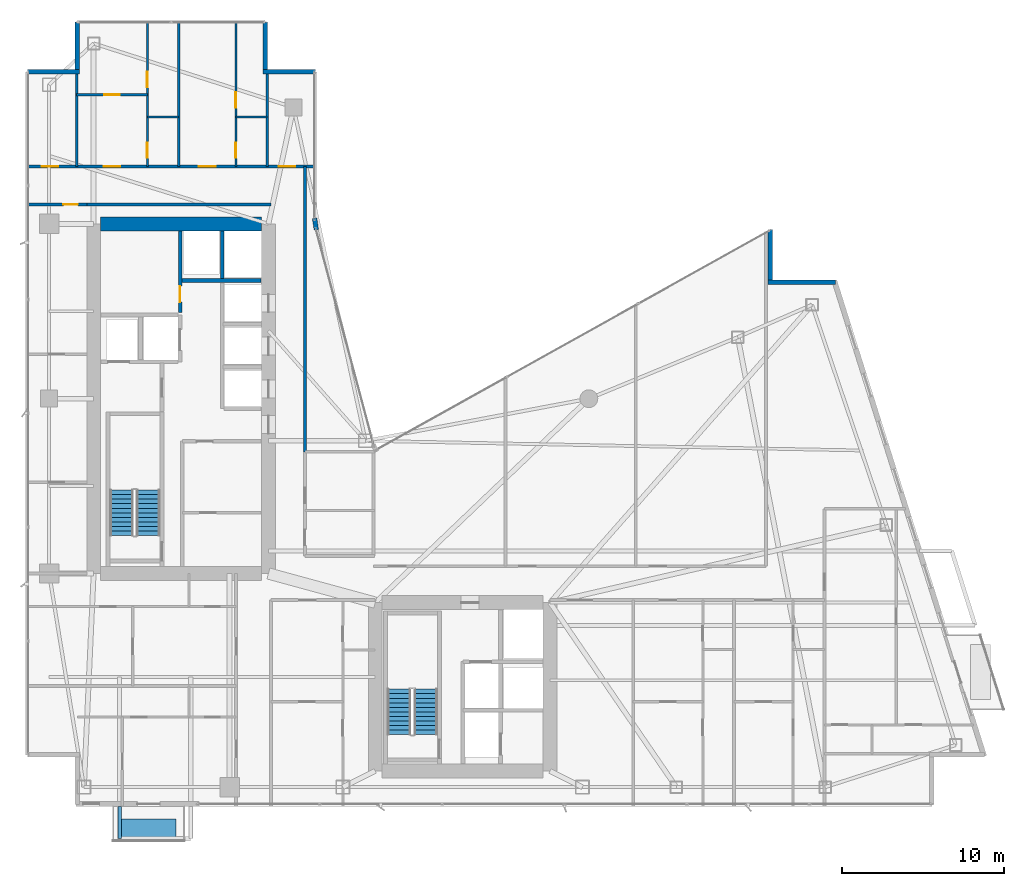
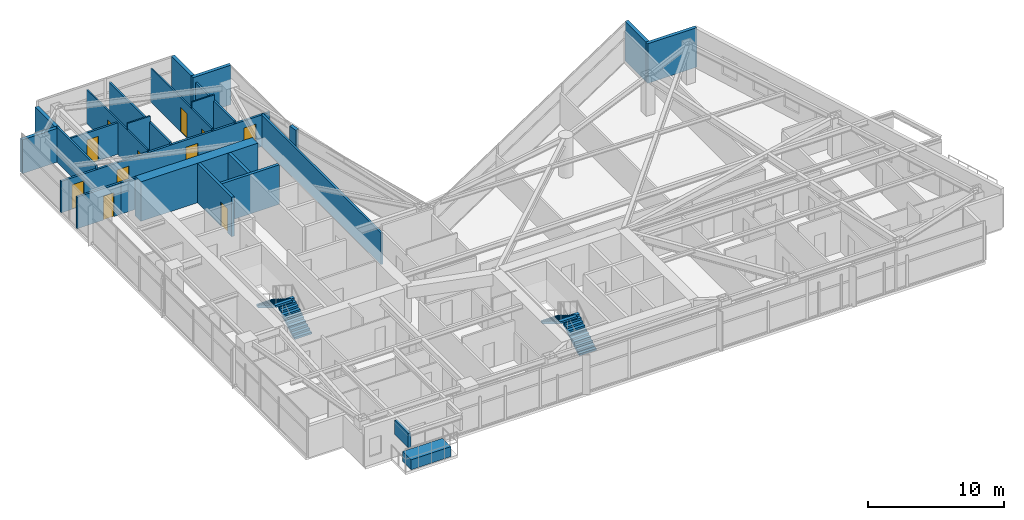
# One storey, part 25 of 29: 23 walls, 11 doors, 4 stair flights, 2 discrete accessories, 11 openings, 2 elements without a shape of their own.
"""IFC4 building model written with IfcOpenShell, lengths in metres."""

from ifc_helpers import new_model, si_unit, direction, frame, frame_2d, origin, origin_2d, place, context, subcontext, project, spatial, polyline, rectangle, outline, extrude, material, layer, layer_set, type_object, element, fill, aggregate, save


model = new_model("IFC4")

# Units and contexts
model_context = context("Model", 3, precision=1e-05, world=origin(), true_north=direction((0.0, 1.0)))
body_context = subcontext(model_context, "Body", "Model", "MODEL_VIEW")
ifc_project = project(units=[si_unit("LENGTHUNIT", "METRE"), si_unit("AREAUNIT", "SQUARE_METRE"), si_unit("VOLUMEUNIT", "CUBIC_METRE"), si_unit("PLANEANGLEUNIT", "RADIAN"), si_unit("MASSUNIT", "GRAM", prefix="KILO")], contexts=[model_context])

# Site, building, storey
site_placement = place(None, origin())
site = spatial("IfcSite", under=ifc_project, at=site_placement, CompositionType="ELEMENT")
building_placement = place(site_placement, origin())
building = spatial("IfcBuilding", under=site, at=building_placement, Name="Calvorn Quay Hotel", CompositionType="ELEMENT")
storey_placement = place(building_placement, frame((0.0, 0.0, 124.0)))
storey = spatial("IfcBuildingStorey", under=building, at=storey_placement, Name="L30", CompositionType="ELEMENT", Elevation=124.0)

# Wall
ifc_material_1 = material(Name="Concrete C50", Category="concrete")
ifc_layer_1 = layer(ifc_material_1, 0.85009765625)
ifc_layer_set_1 = layer_set([ifc_layer_1], Name="WL-CORE-850")
wall_type_1 = type_object("IfcWallType", Name="WL-CORE-850", PredefinedType="SHEAR", material=ifc_layer_set_1)
wall_1_placement = place(storey_placement, frame((4.625, 38.39990234375, 0.0), z_axis=(0.0, 0.0, 1.0), x_axis=(1.0, 0.0, 0.0)))
element("IfcWall", 1, at=wall_1_placement, inside=storey, type_object=wall_type_1, Name="West Core Shear Wall N (L30)", PredefinedType="SHEAR", context=body_context, shape_type="SweptSolid", body=[
    extrude(rectangle(XDim=9.949951171875, YDim=0.85009765625, at=frame_2d((4.97509765625, 0.0))), origin(), (0.0, 0.0, 1.0), 3.56005859375),
])

# Wall, opening, door
ifc_material_2 = material(Name="Acoustic Fireboard Steel-Stud Partition", Category="steel")
ifc_layer_2 = layer(ifc_material_2, 0.179931640625)
ifc_layer_set_2 = layer_set([ifc_layer_2], Name="WL-CORR-FIRE-180")
wall_type_2 = type_object("IfcWallType", Name="WL-CORR-FIRE-180", PredefinedType="PARTITIONING", material=ifc_layer_set_2)
wall_2_placement = place(storey_placement, frame((0.080078125, 39.60009765625, 0.0), z_axis=(0.0, 0.0, 1.0), x_axis=(1.0, 0.0, 0.0)))
wall_2 = element("IfcWall", 2, at=wall_2_placement, inside=storey, type_object=wall_type_2, Name="Partition Wall L30-WL-WBAY-N-DOOR", PredefinedType="PARTITIONING", context=body_context, shape_type="SweptSolid", body=[
    extrude(rectangle(XDim=3.724853515625, YDim=0.179931640625, at=frame_2d((1.8623046875, 0.0))), origin(), (0.0, 0.0, 1.0), 2.840087890625),
])
opening_1_placement = place(wall_2_placement, frame((2.25, 0.0, 0.0)))
opening_1 = element("IfcOpeningElement", 3, at=opening_1_placement, cuts=wall_2, Name="Opening D-L30-WBN", PredefinedType="OPENING", context=body_context, shape_type="SweptSolid", body=[
    extrude(rectangle(XDim=0.89990234375, YDim=2.14990234375, at=frame_2d((0.449951171875, 1.074951171875))), frame((0.0, 0.099853515625, 0.0), z_axis=(0.0, -1.0, 0.0), x_axis=(1.0, 0.0, 0.0)), (0.0, 0.0, 1.0), 0.199951171875),
])
ifc_material_3 = material(Name="Moisture-Sealed Timber En-Suite Door", Category="wood")
door_type_1 = type_object("IfcDoorType", Name="DR-ENSUITE-900", OperationType="NOTDEFINED", PredefinedType="DOOR", material=ifc_material_3)
door_1_placement = place(opening_1_placement, origin())
door_1 = element("IfcDoor", 4, at=door_1_placement, inside=storey, type_object=door_type_1, Name="West North Bay Door (L30)", OperationType="SINGLE_SWING_LEFT", OverallHeight=2.14990234375, OverallWidth=0.89990234375, PredefinedType="DOOR", context=body_context, shape_type="SweptSolid", body=[
    extrude(rectangle(XDim=0.89990234375, YDim=2.14990234375, at=frame_2d((0.449951171875, 1.074951171875))), frame((0.0, 0.02490234375, 0.0), z_axis=(0.0, -1.0, 0.0), x_axis=(1.0, 0.0, 0.0)), (0.0, 0.0, 1.0), 0.050048828125),
])
fill(opening_1, door_1)

# Wall, openings, doors
wall_3_placement = place(storey_placement, frame((0.080078125, 41.949951171875, 0.0), z_axis=(0.0, 0.0, 1.0), x_axis=(1.0, 0.0, 0.0)))
wall_3 = element("IfcWall", 5, at=wall_3_placement, inside=storey, type_object=wall_type_2, Name="Partition Wall L30-WL-CORR-NW-N", PredefinedType="PARTITIONING", context=body_context, shape_type="SweptSolid", body=[
    extrude(rectangle(XDim=17.77001953125, YDim=0.179931640625, at=frame_2d((8.885009765625, 0.0))), origin(), (0.0, 0.0, 1.0), 2.840087890625),
])
opening_2_placement = place(wall_3_placement, frame((0.89990234375, 0.0, 0.0)))
opening_2 = element("IfcOpeningElement", 6, at=opening_2_placement, cuts=wall_3, Name="Opening D-L30-NWW", PredefinedType="OPENING", context=body_context, shape_type="SweptSolid", body=[
    extrude(rectangle(XDim=1.02001953125, YDim=2.199951171875, at=frame_2d((0.510009765625, 1.10009765625))), frame((0.0, 0.099853515625, 0.0), z_axis=(0.0, -1.0, 0.0), x_axis=(1.0, 0.0, 0.0)), (0.0, 0.0, 1.0), 0.199951171875),
])
opening_3_placement = place(wall_3_placement, frame((4.75, 0.0, 0.0)))
opening_3 = element("IfcOpeningElement", 7, at=opening_3_placement, cuts=wall_3, Name="Opening D-L30-U04", PredefinedType="OPENING", context=body_context, shape_type="SweptSolid", body=[
    extrude(rectangle(XDim=1.02001953125, YDim=2.199951171875, at=frame_2d((0.510009765625, 1.10009765625))), frame((0.0, 0.099853515625, 0.0), z_axis=(0.0, -1.0, 0.0), x_axis=(1.0, 0.0, 0.0)), (0.0, 0.0, 1.0), 0.199951171875),
])
opening_4_placement = place(wall_3_placement, frame((10.6298828125, 0.0, 0.0)))
opening_4 = element("IfcOpeningElement", 8, at=opening_4_placement, cuts=wall_3, Name="Opening D-L30-U05", PredefinedType="OPENING", context=body_context, shape_type="SweptSolid", body=[
    extrude(rectangle(XDim=1.02001953125, YDim=2.199951171875, at=frame_2d((0.510009765625, 1.10009765625))), frame((0.0, 0.099853515625, 0.0), z_axis=(0.0, -1.0, 0.0), x_axis=(1.0, 0.0, 0.0)), (0.0, 0.0, 1.0), 0.199951171875),
])
opening_5_placement = place(wall_3_placement, frame((15.550048828125, 0.0, 0.0)))
opening_5 = element("IfcOpeningElement", 9, at=opening_5_placement, cuts=wall_3, Name="Opening D-L30-NWE", PredefinedType="OPENING", context=body_context, shape_type="SweptSolid", body=[
    extrude(rectangle(XDim=1.02001953125, YDim=2.199951171875, at=frame_2d((0.510009765625, 1.10009765625))), frame((0.0, 0.099853515625, 0.0), z_axis=(0.0, -1.0, 0.0), x_axis=(1.0, 0.0, 0.0)), (0.0, 0.0, 1.0), 0.199951171875),
])
ifc_material_4 = material(Name="Solid-Core Walnut Veneer Hotel Fire Door")
door_type_2 = type_object("IfcDoorType", Name="DR-GUEST-ENTRY-1020", OperationType="NOTDEFINED", PredefinedType="DOOR", material=ifc_material_4)
door_2_placement = place(opening_2_placement, origin())
door_2 = element("IfcDoor", 10, at=door_2_placement, inside=storey, type_object=door_type_2, Name="West Corner Study Door (L30)", OperationType="SINGLE_SWING_LEFT", OverallHeight=2.199951171875, OverallWidth=1.02001953125, PredefinedType="DOOR", context=body_context, shape_type="SweptSolid", body=[
    extrude(rectangle(XDim=1.02001953125, YDim=2.199951171875, at=frame_2d((0.510009765625, 1.10009765625))), frame((0.0, 0.02490234375, 0.0), z_axis=(0.0, -1.0, 0.0), x_axis=(1.0, 0.0, 0.0)), (0.0, 0.0, 1.0), 0.050048828125),
])
fill(opening_2, door_2)
door_3_placement = place(opening_3_placement, origin())
door_3 = element("IfcDoor", 11, at=door_3_placement, inside=storey, type_object=door_type_2, Name="North-West Unit Door U04 (L30)", OperationType="SINGLE_SWING_RIGHT", OverallHeight=2.199951171875, OverallWidth=1.02001953125, PredefinedType="DOOR", context=body_context, shape_type="SweptSolid", body=[
    extrude(rectangle(XDim=1.02001953125, YDim=2.199951171875, at=frame_2d((0.510009765625, 1.10009765625))), frame((0.0, 0.02490234375, 0.0), z_axis=(0.0, -1.0, 0.0), x_axis=(1.0, 0.0, 0.0)), (0.0, 0.0, 1.0), 0.050048828125),
])
fill(opening_3, door_3)
door_4_placement = place(opening_4_placement, origin())
door_4 = element("IfcDoor", 12, at=door_4_placement, inside=storey, type_object=door_type_2, Name="North-West Unit Door U05 (L30)", OperationType="SINGLE_SWING_LEFT", OverallHeight=2.199951171875, OverallWidth=1.02001953125, PredefinedType="DOOR", context=body_context, shape_type="SweptSolid", body=[
    extrude(rectangle(XDim=1.02001953125, YDim=2.199951171875, at=frame_2d((0.510009765625, 1.10009765625))), frame((0.0, 0.02490234375, 0.0), z_axis=(0.0, -1.0, 0.0), x_axis=(1.0, 0.0, 0.0)), (0.0, 0.0, 1.0), 0.050048828125),
])
fill(opening_4, door_4)
door_5_placement = place(opening_5_placement, origin())
door_5 = element("IfcDoor", 13, at=door_5_placement, inside=storey, type_object=door_type_2, Name="Inner Court Study Door (L30)", OperationType="SINGLE_SWING_RIGHT", OverallHeight=2.199951171875, OverallWidth=1.02001953125, PredefinedType="DOOR", context=body_context, shape_type="SweptSolid", body=[
    extrude(rectangle(XDim=1.02001953125, YDim=2.199951171875, at=frame_2d((0.510009765625, 1.10009765625))), frame((0.0, 0.02490234375, 0.0), z_axis=(0.0, -1.0, 0.0), x_axis=(1.0, 0.0, 0.0)), (0.0, 0.0, 1.0), 0.050048828125),
])
fill(opening_5, door_5)

# Walls
wall_4_placement = place(storey_placement, frame((17.25, 24.300048828125, 0.0), z_axis=(0.0, 0.0, 1.0), x_axis=(0.0, 1.0, 0.0)))
element("IfcWall", 14, at=wall_4_placement, inside=storey, type_object=wall_type_2, Name="Partition Wall L30-WL-NW-CLOSURE-E", PredefinedType="PARTITIONING", context=body_context, shape_type="SweptSolid", body=[
    extrude(rectangle(XDim=17.64990234375, YDim=0.179931640625, at=frame_2d((8.824951171875, 0.0))), origin(), (0.0, 0.0, 1.0), 2.840087890625),
])
wall_5_placement = place(storey_placement, frame((3.7548828125, 39.60009765625, 0.0), z_axis=(0.0, 0.0, 1.0), x_axis=(1.0, 0.0, 0.0)))
element("IfcWall", 15, at=wall_5_placement, inside=storey, type_object=wall_type_2, Name="Partition Wall L30-WL-W-SPUR-S", PredefinedType="PARTITIONING", context=body_context, shape_type="SweptSolid", body=[
    extrude(rectangle(XDim=11.39501953125, YDim=0.179931640625, at=frame_2d((5.697509765625, 0.0))), origin(), (0.0, 0.0, 1.0), 2.840087890625),
])
ifc_material_5 = material(Name="Moisture-Resistant Tile-Backed Partition")
ifc_layer_3 = layer(ifc_material_5, 0.125)
ifc_layer_set_3 = layer_set([ifc_layer_3], Name="WL-ENSUITE-125")
wall_type_3 = type_object("IfcWallType", Name="WL-ENSUITE-125", PredefinedType="PARTITIONING", material=ifc_layer_set_3)
wall_6_placement = place(storey_placement, frame((7.52001953125, 45.02001953125, 0.0), z_axis=(0.0, 0.0, 1.0), x_axis=(1.0, 0.0, 0.0)))
element("IfcWall", 16, at=wall_6_placement, inside=storey, type_object=wall_type_3, Name="Partition Wall L30-WL-U04-BDV", PredefinedType="PARTITIONING", context=body_context, shape_type="SweptSolid", body=[
    extrude(rectangle(XDim=1.929931640625, YDim=0.125, at=frame_2d((0.96484375, 0.0))), origin(), (0.0, 0.0, 1.0), 3.56005859375),
])

# Wall, openings, doors
wall_7_placement = place(storey_placement, frame((7.52001953125, 41.949951171875, 0.0), z_axis=(0.0, 0.0, 1.0), x_axis=(0.0, 1.0, 0.0)))
wall_7 = element("IfcWall", 17, at=wall_7_placement, inside=storey, type_object=wall_type_3, Name="Partition Wall L30-WL-U04-BV", PredefinedType="PARTITIONING", context=body_context, shape_type="SweptSolid", body=[
    extrude(rectangle(XDim=8.989990234375, YDim=0.125, at=frame_2d((4.4951171875, 0.0))), origin(), (0.0, 0.0, 1.0), 3.0400390625),
])
opening_6_placement = place(wall_7_placement, frame((0.550048828125, 0.0, 0.0)))
opening_6 = element("IfcOpeningElement", 18, at=opening_6_placement, cuts=wall_7, Name="Opening D-L30-E04", PredefinedType="OPENING", context=body_context, shape_type="SweptSolid", body=[
    extrude(rectangle(XDim=0.89990234375, YDim=2.14990234375, at=frame_2d((0.449951171875, 1.074951171875))), frame((0.0, 0.072509765625, 0.0), z_axis=(0.0, -1.0, 0.0), x_axis=(1.0, 0.0, 0.0)), (0.0, 0.0, 1.0), 0.14501953125),
])
opening_7_placement = place(wall_7_placement, frame((4.8798828125, 0.0, 0.0)))
opening_7 = element("IfcOpeningElement", 19, at=opening_7_placement, cuts=wall_7, Name="Opening D-L30-S04", PredefinedType="OPENING", context=body_context, shape_type="SweptSolid", body=[
    extrude(rectangle(XDim=0.9599609375, YDim=2.199951171875, at=frame_2d((0.47998046875, 1.10009765625))), frame((0.0, 0.072509765625, 0.0), z_axis=(0.0, -1.0, 0.0), x_axis=(1.0, 0.0, 0.0)), (0.0, 0.0, 1.0), 0.14501953125),
])
door_6_placement = place(opening_6_placement, origin())
door_6 = element("IfcDoor", 20, at=door_6_placement, inside=storey, type_object=door_type_1, Name="En-Suite Door 04", OperationType="SINGLE_SWING_LEFT", OverallHeight=2.14990234375, OverallWidth=0.89990234375, PredefinedType="DOOR", context=body_context, shape_type="SweptSolid", body=[
    extrude(rectangle(XDim=0.89990234375, YDim=2.14990234375, at=frame_2d((0.449951171875, 1.074951171875))), frame((0.0, 0.02490234375, 0.0), z_axis=(0.0, -1.0, 0.0), x_axis=(1.0, 0.0, 0.0)), (0.0, 0.0, 1.0), 0.050048828125),
])
fill(opening_6, door_6)
ifc_material_6 = material(Name="Solid Timber Internal Suite Door", Category="wood")
door_type_3 = type_object("IfcDoorType", Name="DR-SUITE-INT-960", OperationType="NOTDEFINED", PredefinedType="DOOR", material=ifc_material_6)
door_7_placement = place(opening_7_placement, origin())
door_7 = element("IfcDoor", 21, at=door_7_placement, inside=storey, type_object=door_type_3, Name="Harbour Tea Room Door 04", OperationType="SINGLE_SWING_RIGHT", OverallHeight=2.199951171875, OverallWidth=0.9599609375, PredefinedType="DOOR", context=body_context, shape_type="SweptSolid", body=[
    extrude(rectangle(XDim=0.9599609375, YDim=2.199951171875, at=frame_2d((0.47998046875, 1.10009765625))), frame((0.0, 0.02490234375, 0.0), z_axis=(0.0, -1.0, 0.0), x_axis=(1.0, 0.0, 0.0)), (0.0, 0.0, 1.0), 0.050048828125),
])
fill(opening_7, door_7)

# Wall
wall_8_placement = place(storey_placement, frame((12.989990234375, 45.02001953125, 0.0), z_axis=(0.0, 0.0, 1.0), x_axis=(1.0, 0.0, 0.0)))
element("IfcWall", 22, at=wall_8_placement, inside=storey, type_object=wall_type_3, Name="Partition Wall L30-WL-U05-BDV", PredefinedType="PARTITIONING", context=body_context, shape_type="SweptSolid", body=[
    extrude(rectangle(XDim=1.929931640625, YDim=0.125, at=frame_2d((0.96484375, 0.0))), origin(), (0.0, 0.0, 1.0), 3.56005859375),
])

# Wall, openings, doors
wall_9_placement = place(storey_placement, frame((12.989990234375, 41.949951171875, 0.0), z_axis=(0.0, 0.0, 1.0), x_axis=(0.0, 1.0, 0.0)))
wall_9 = element("IfcWall", 23, at=wall_9_placement, inside=storey, type_object=wall_type_3, Name="Partition Wall L30-WL-U05-BV", PredefinedType="PARTITIONING", context=body_context, shape_type="SweptSolid", body=[
    extrude(rectangle(XDim=8.989990234375, YDim=0.125, at=frame_2d((4.4951171875, 0.0))), origin(), (0.0, 0.0, 1.0), 3.0400390625),
])
opening_8_placement = place(wall_9_placement, frame((0.550048828125, 0.0, 0.0)))
opening_8 = element("IfcOpeningElement", 24, at=opening_8_placement, cuts=wall_9, Name="Opening D-L30-E05", PredefinedType="OPENING", context=body_context, shape_type="SweptSolid", body=[
    extrude(rectangle(XDim=0.89990234375, YDim=2.14990234375, at=frame_2d((0.449951171875, 1.074951171875))), frame((0.0, 0.072509765625, 0.0), z_axis=(0.0, -1.0, 0.0), x_axis=(1.0, 0.0, 0.0)), (0.0, 0.0, 1.0), 0.14501953125),
])
opening_9_placement = place(wall_9_placement, frame((3.6201171875, 0.0, 0.0)))
opening_9 = element("IfcOpeningElement", 25, at=opening_9_placement, cuts=wall_9, Name="Opening D-L30-S05", PredefinedType="OPENING", context=body_context, shape_type="SweptSolid", body=[
    extrude(rectangle(XDim=0.9599609375, YDim=2.199951171875, at=frame_2d((0.47998046875, 1.10009765625))), frame((0.0, 0.072509765625, 0.0), z_axis=(0.0, -1.0, 0.0), x_axis=(1.0, 0.0, 0.0)), (0.0, 0.0, 1.0), 0.14501953125),
])
door_8_placement = place(opening_8_placement, origin())
door_8 = element("IfcDoor", 26, at=door_8_placement, inside=storey, type_object=door_type_1, Name="En-Suite Door 05", OperationType="SINGLE_SWING_LEFT", OverallHeight=2.14990234375, OverallWidth=0.89990234375, PredefinedType="DOOR", context=body_context, shape_type="SweptSolid", body=[
    extrude(rectangle(XDim=0.89990234375, YDim=2.14990234375, at=frame_2d((0.449951171875, 1.074951171875))), frame((0.0, 0.02490234375, 0.0), z_axis=(0.0, -1.0, 0.0), x_axis=(1.0, 0.0, 0.0)), (0.0, 0.0, 1.0), 0.050048828125),
])
fill(opening_8, door_8)
door_9_placement = place(opening_9_placement, origin())
door_9 = element("IfcDoor", 27, at=door_9_placement, inside=storey, type_object=door_type_3, Name="Harbour Tea Room Door 05", OperationType="SINGLE_SWING_RIGHT", OverallHeight=2.199951171875, OverallWidth=0.9599609375, PredefinedType="DOOR", context=body_context, shape_type="SweptSolid", body=[
    extrude(rectangle(XDim=0.9599609375, YDim=2.199951171875, at=frame_2d((0.47998046875, 1.10009765625))), frame((0.0, 0.02490234375, 0.0), z_axis=(0.0, -1.0, 0.0), x_axis=(1.0, 0.0, 0.0)), (0.0, 0.0, 1.0), 0.050048828125),
])
fill(opening_9, door_9)

# Walls
ifc_material_7 = material(Name="Concrete C40", Category="concrete")
ifc_layer_4 = layer(ifc_material_7, 0.320068359375)
ifc_layer_set_4 = layer_set([ifc_layer_4], Name="WL-EXT-SPANDREL-320")
wall_type_4 = type_object("IfcWallType", Name="WL-EXT-SPANDREL-320", PredefinedType="SOLIDWALL", material=ifc_layer_set_4)
wall_10_placement = place(storey_placement, frame((17.9619140625, 38.030029296875, 0.0), z_axis=(0.0, 0.0, 1.0), x_axis=(-0.15141125477, 0.988470855377, 0.0)))
element("IfcWall", 28, at=wall_10_placement, inside=storey, type_object=wall_type_4, Name="Inner Court Corner Pier L30-ICJ2", PredefinedType="SOLIDWALL", context=body_context, shape_type="SweptSolid", body=[
    extrude(rectangle(XDim=0.738525390625, YDim=0.280029296875, at=frame_2d((0.369140625, 0.0))), origin(), (0.0, 0.0, 1.0), 3.56005859375),
])
wall_11_placement = place(storey_placement, frame((50.0400390625, 34.800048828125, 0.0), z_axis=(0.0, 0.0, 1.0), x_axis=(-1.0, 0.0, 0.0)))
element("IfcWall", 29, at=wall_11_placement, inside=storey, type_object=wall_type_4, Name="Notched Corner Spandrel L30-NE1", PredefinedType="SOLIDWALL", context=body_context, shape_type="SweptSolid", body=[
    extrude(rectangle(XDim=4.179931640625, YDim=0.280029296875, at=frame_2d((2.08984375, 0.0))), origin(), (0.0, 0.0, 1.0), 3.56005859375),
])
wall_12_placement = place(storey_placement, frame((46.0, 34.93994140625, 0.0), z_axis=(0.0, 0.0, 1.0), x_axis=(0.0, 1.0, 0.0)))
element("IfcWall", 30, at=wall_12_placement, inside=storey, type_object=wall_type_4, Name="Notched Corner Spandrel L30-NE2", PredefinedType="SOLIDWALL", context=body_context, shape_type="SweptSolid", body=[
    extrude(rectangle(XDim=3.10009765625, YDim=0.280029296875, at=frame_2d((1.550048828125, 0.0))), origin(), (0.0, 0.0, 1.0), 3.56005859375),
])
wall_13_placement = place(storey_placement, frame((17.89990234375, 47.800048828125, 0.0), z_axis=(0.0, 0.0, 1.0), x_axis=(-1.0, 0.0, 0.0)))
element("IfcWall", 31, at=wall_13_placement, inside=storey, type_object=wall_type_4, Name="Notched Corner Spandrel L30-NWE1", PredefinedType="SOLIDWALL", context=body_context, shape_type="SweptSolid", body=[
    extrude(rectangle(XDim=3.239990234375, YDim=0.280029296875, at=frame_2d((1.6201171875, 0.0))), origin(), (0.0, 0.0, 1.0), 3.56005859375),
])
wall_14_placement = place(storey_placement, frame((14.800048828125, 47.93994140625, 0.0), z_axis=(0.0, 0.0, 1.0), x_axis=(0.0, 1.0, 0.0)))
element("IfcWall", 32, at=wall_14_placement, inside=storey, type_object=wall_type_4, Name="Notched Corner Spandrel L30-NWE2", PredefinedType="SOLIDWALL", context=body_context, shape_type="SweptSolid", body=[
    extrude(rectangle(XDim=2.93994140625, YDim=0.280029296875, at=frame_2d((1.469970703125, 0.0))), origin(), (0.0, 0.0, 1.0), 3.56005859375),
])
wall_15_placement = place(storey_placement, frame((3.199951171875, 50.8798828125, 0.0), z_axis=(0.0, 0.0, 1.0), x_axis=(0.0, -1.0, 0.0)))
element("IfcWall", 33, at=wall_15_placement, inside=storey, type_object=wall_type_4, Name="Notched Corner Spandrel L30-NW1", PredefinedType="SOLIDWALL", context=body_context, shape_type="SweptSolid", body=[
    extrude(rectangle(XDim=2.93994140625, YDim=0.280029296875, at=frame_2d((1.469970703125, 0.0))), origin(), (0.0, 0.0, 1.0), 3.0400390625),
])
wall_16_placement = place(storey_placement, frame((3.340087890625, 47.800048828125, 0.0), z_axis=(0.0, 0.0, 1.0), x_axis=(-1.0, 0.0, 0.0)))
element("IfcWall", 34, at=wall_16_placement, inside=storey, type_object=wall_type_4, Name="Notched Corner Spandrel L30-NW2", PredefinedType="SOLIDWALL", context=body_context, shape_type="SweptSolid", body=[
    extrude(rectangle(XDim=3.219970703125, YDim=0.280029296875, at=frame_2d((1.60986328125, 0.0))), origin(), (0.0, 0.0, 1.0), 3.0400390625),
])
ifc_material_8 = material(Name="Double-Stud Acoustic Gypsum Partition")
ifc_layer_5 = layer(ifc_material_8, 0.159912109375)
ifc_layer_set_5 = layer_set([ifc_layer_5], Name="WL-INTERSUITE-160")
wall_type_5 = type_object("IfcWallType", Name="WL-INTERSUITE-160", PredefinedType="PARTITIONING", material=ifc_layer_set_5)
wall_17_placement = place(storey_placement, frame((3.14990234375, 41.949951171875, 0.0), z_axis=(0.0, 0.0, 1.0), x_axis=(0.0, 1.0, 0.0)))
element("IfcWall", 35, at=wall_17_placement, inside=storey, type_object=wall_type_5, Name="Partition Wall L30-WL-NW-DIV-W0", PredefinedType="PARTITIONING", context=body_context, shape_type="SweptSolid", body=[
    extrude(rectangle(XDim=5.85009765625, YDim=0.159912109375, at=frame_2d((2.925048828125, 0.0))), origin(), (0.0, 0.0, 1.0), 3.139892578125),
])
wall_18_placement = place(storey_placement, frame((14.919921875, 41.949951171875, 0.0), z_axis=(0.0, 0.0, 1.0), x_axis=(0.0, 1.0, 0.0)))
element("IfcWall", 36, at=wall_18_placement, inside=storey, type_object=wall_type_5, Name="Partition Wall L30-WL-NW-DIV-E0", PredefinedType="PARTITIONING", context=body_context, shape_type="SweptSolid", body=[
    extrude(rectangle(XDim=5.85009765625, YDim=0.159912109375, at=frame_2d((2.925048828125, 0.0))), origin(), (0.0, 0.0, 1.0), 3.0400390625),
])

# Wall, opening, door
wall_19_placement = place(storey_placement, frame((3.14990234375, 46.3798828125, 0.0), z_axis=(0.0, 0.0, 1.0), x_axis=(1.0, 0.0, 0.0)))
wall_19 = element("IfcWall", 37, at=wall_19_placement, inside=storey, type_object=wall_type_5, Name="Partition Wall L30-WL-U04-MSP", PredefinedType="PARTITIONING", context=body_context, shape_type="SweptSolid", body=[
    extrude(rectangle(XDim=4.3701171875, YDim=0.159912109375, at=frame_2d((2.18505859375, 0.0))), origin(), (0.0, 0.0, 1.0), 2.840087890625),
])
opening_10_placement = place(wall_19_placement, frame((1.699951171875, 0.0, 0.0)))
opening_10 = element("IfcOpeningElement", 38, at=opening_10_placement, cuts=wall_19, Name="Opening D-L30-M04", PredefinedType="OPENING", context=body_context, shape_type="SweptSolid", body=[
    extrude(rectangle(XDim=0.9599609375, YDim=2.199951171875, at=frame_2d((0.47998046875, 1.10009765625))), frame((0.0, 0.08984375, 0.0), z_axis=(0.0, -1.0, 0.0), x_axis=(1.0, 0.0, 0.0)), (0.0, 0.0, 1.0), 0.179931640625),
])
door_10_placement = place(opening_10_placement, origin())
door_10 = element("IfcDoor", 39, at=door_10_placement, inside=storey, type_object=door_type_3, Name="Suite Bedroom Door 04", OperationType="SINGLE_SWING_LEFT", OverallHeight=2.199951171875, OverallWidth=0.9599609375, PredefinedType="DOOR", context=body_context, shape_type="SweptSolid", body=[
    extrude(rectangle(XDim=0.9599609375, YDim=2.199951171875, at=frame_2d((0.47998046875, 1.10009765625))), frame((0.0, 0.02490234375, 0.0), z_axis=(0.0, -1.0, 0.0), x_axis=(1.0, 0.0, 0.0)), (0.0, 0.0, 1.0), 0.050048828125),
])
fill(opening_10, door_10)

# Wall
wall_20_placement = place(storey_placement, frame((9.449951171875, 41.949951171875, 0.0), z_axis=(0.0, 0.0, 1.0), x_axis=(0.0, 1.0, 0.0)))
element("IfcWall", 40, at=wall_20_placement, inside=storey, type_object=wall_type_5, Name="Partition Wall L30-WL-NW-DIV-1", PredefinedType="PARTITIONING", context=body_context, shape_type="SweptSolid", body=[
    extrude(rectangle(XDim=8.989990234375, YDim=0.159912109375, at=frame_2d((4.4951171875, 0.0))), origin(), (0.0, 0.0, 1.0), 3.0400390625),
])

# Wall, opening, door
ifc_material_9 = material(Name="Autoclaved Aerated Masonry Block", Category="masonry")
ifc_layer_6 = layer(ifc_material_9, 0.219970703125)
ifc_layer_set_6 = layer_set([ifc_layer_6], Name="WL-LOBBY-FIRE-220")
wall_type_6 = type_object("IfcWallType", Name="WL-LOBBY-FIRE-220", PredefinedType="SOLIDWALL", material=ifc_layer_set_6)
wall_21_placement = place(storey_placement, frame((9.5400390625, 32.919921875, 0.0), z_axis=(0.0, 0.0, 1.0), x_axis=(0.0, 1.0, 0.0)))
wall_21 = element("IfcWall", 41, at=wall_21_placement, inside=storey, type_object=wall_type_6, Name="Partition Wall L30-WL-CWW-K-E", PredefinedType="SOLIDWALL", context=body_context, shape_type="SweptSolid", body=[
    extrude(rectangle(XDim=5.03515625, YDim=0.219970703125, at=frame_2d((2.517578125, 0.0))), origin(), (0.0, 0.0, 1.0), 3.56005859375),
])
opening_11_placement = place(wall_21_placement, frame((0.64990234375, 0.0, 0.0)))
opening_11 = element("IfcOpeningElement", 42, at=opening_11_placement, cuts=wall_21, Name="Opening D-L30-CK1", PredefinedType="OPENING", context=body_context, shape_type="SweptSolid", body=[
    extrude(rectangle(XDim=0.97998046875, YDim=2.14990234375, at=frame_2d((0.489990234375, 1.074951171875))), frame((0.0, 0.119873046875, 0.0), z_axis=(0.0, -1.0, 0.0), x_axis=(1.0, 0.0, 0.0)), (0.0, 0.0, 1.0), 0.239990234375),
])
ifc_material_10 = material(Name="Painted Steel Housekeeping/Riser Fire Door", Category="steel")
door_type_4 = type_object("IfcDoorType", Name="DR-SERVICE-980", OperationType="NOTDEFINED", PredefinedType="DOOR", material=ifc_material_10)
door_11_placement = place(opening_11_placement, origin())
door_11 = element("IfcDoor", 43, at=door_11_placement, inside=storey, type_object=door_type_4, Name="Core Linen Room Door (L30)", OperationType="SINGLE_SWING_LEFT", OverallHeight=2.14990234375, OverallWidth=0.97998046875, PredefinedType="DOOR", context=body_context, shape_type="SweptSolid", body=[
    extrude(rectangle(XDim=0.97998046875, YDim=2.14990234375, at=frame_2d((0.489990234375, 1.074951171875))), frame((0.0, 0.02490234375, 0.0), z_axis=(0.0, -1.0, 0.0), x_axis=(1.0, 0.0, 0.0)), (0.0, 0.0, 1.0), 0.050048828125),
])
fill(opening_11, door_11)

# Walls
ifc_material_11 = material(Name="Concrete C40", Category="concrete")
ifc_layer_7 = layer(ifc_material_11, 0.239990234375)
ifc_layer_set_7 = layer_set([ifc_layer_7], Name="WL-SHAFT-240")
wall_type_7 = type_object("IfcWallType", Name="WL-SHAFT-240", PredefinedType="SOLIDWALL", material=ifc_layer_set_7)
wall_22_placement = place(storey_placement, frame((9.659912109375, 34.89990234375, 0.0), z_axis=(0.0, 0.0, 1.0), x_axis=(1.0, 0.0, 0.0)))
element("IfcWall", 44, at=wall_22_placement, inside=storey, type_object=wall_type_7, Name="Partition Wall L30-WL-CWW-PLH-S", PredefinedType="SOLIDWALL", context=body_context, shape_type="SweptSolid", body=[
    extrude(rectangle(XDim=4.89501953125, YDim=0.239990234375, at=frame_2d((2.447509765625, 0.0))), origin(), (0.0, 0.0, 1.0), 3.56005859375),
])
wall_23_placement = place(storey_placement, frame((12.14990234375, 35.02001953125, 0.0), z_axis=(0.0, 0.0, 1.0), x_axis=(0.0, 1.0, 0.0)))
element("IfcWall", 45, at=wall_23_placement, inside=storey, type_object=wall_type_7, Name="Partition Wall L30-WL-CWW-PLH-DIV", PredefinedType="SOLIDWALL", context=body_context, shape_type="SweptSolid", body=[
    extrude(rectangle(XDim=2.93505859375, YDim=0.239990234375, at=frame_2d((1.467529296875, 0.0))), origin(), (0.0, 0.0, 1.0), 3.56005859375),
])

# Stair, stair flights
ifc_material_12 = material(Name="Concrete C40", Category="concrete")
stair_type = type_object("IfcStairType", Name="STR-CORE-DOGLEG", PredefinedType="HALF_TURN_STAIR", material=ifc_material_12)
stair_1_placement = place(storey_placement, origin())
stair_1 = element("IfcStair", 46, at=stair_1_placement, inside=storey, type_object=stair_type, Name="L30 ST-W", PredefinedType="HALF_TURN_STAIR")
ifc_material_13 = material(Name="Concrete C40", Category="concrete")
stair_flight_type = type_object("IfcStairFlightType", Name="FLT-CORE-1550", PredefinedType="STRAIGHT", material=ifc_material_13)
stair_flight_1_placement = place(storey_placement, frame((7.574951171875, 19.14990234375, 0.0), z_axis=(0.0, 0.0, 1.0), x_axis=(0.0, 1.0, 0.0)))
stair_flight_1 = element("IfcStairFlight", 47, at=stair_flight_1_placement, type_object=stair_flight_type, Name="ST-W flight 1", NumberOfRisers=11, NumberOfTreads=10, PredefinedType="STRAIGHT", RiserHeight=0.172727273, TreadLength=0.28, context=body_context, shape_type="SweptSolid", body=[
    extrude(outline(polyline([(0.0, 0.0), (0.0, 0.172607421875), (0.280029296875, 0.172607421875), (0.280029296875, 0.345458984375), (0.56005859375, 0.345458984375), (0.56005859375, 0.51806640625), (0.840087890625, 0.51806640625), (0.840087890625, 0.69091796875), (1.1201171875, 0.69091796875), (1.1201171875, 0.863525390625), (1.39990234375, 0.863525390625), (1.39990234375, 1.036376953125), (1.679931640625, 1.036376953125), (1.679931640625, 1.208984375), (1.9599609375, 1.208984375), (1.9599609375, 1.3818359375), (2.239990234375, 1.3818359375), (2.239990234375, 1.554443359375), (2.52001953125, 1.554443359375), (2.52001953125, 1.727294921875), (2.800048828125, 1.727294921875), (2.800048828125, 1.89990234375), (2.800048828125, 1.551025390625), (0.285400390625, 0.0), (0.0, 0.0)])), frame((0.0, 0.72509765625, 0.0), z_axis=(0.0, -1.0, 0.0), x_axis=(1.0, 0.0, 0.0)), (0.0, 0.0, 1.0), 1.449951171875),
])
stair_flight_2_placement = place(storey_placement, frame((5.925048828125, 21.949951171875, 1.89990234375), z_axis=(0.0, 0.0, 1.0), x_axis=(0.0, -1.0, 0.0)))
stair_flight_2 = element("IfcStairFlight", 48, at=stair_flight_2_placement, type_object=stair_flight_type, Name="ST-W flight 2", NumberOfRisers=11, NumberOfTreads=10, PredefinedType="STRAIGHT", RiserHeight=0.172727273, TreadLength=0.28, context=body_context, shape_type="SweptSolid", body=[
    extrude(outline(polyline([(0.0, 0.0), (0.0, 0.172607421875), (0.280029296875, 0.172607421875), (0.280029296875, 0.345458984375), (0.56005859375, 0.345458984375), (0.56005859375, 0.51806640625), (0.840087890625, 0.51806640625), (0.840087890625, 0.69091796875), (1.1201171875, 0.69091796875), (1.1201171875, 0.863525390625), (1.39990234375, 0.863525390625), (1.39990234375, 1.036376953125), (1.679931640625, 1.036376953125), (1.679931640625, 1.208984375), (1.9599609375, 1.208984375), (1.9599609375, 1.3818359375), (2.239990234375, 1.3818359375), (2.239990234375, 1.554443359375), (2.52001953125, 1.554443359375), (2.52001953125, 1.727294921875), (2.800048828125, 1.727294921875), (2.800048828125, 1.89990234375), (2.800048828125, 1.551025390625), (0.285400390625, 0.0), (0.0, 0.0)])), frame((0.0, 0.72509765625, 0.0), z_axis=(0.0, -1.0, 0.0), x_axis=(1.0, 0.0, 0.0)), (0.0, 0.0, 1.0), 1.449951171875),
])
aggregate(stair_1, [stair_flight_1, stair_flight_2])

stair_2_placement = place(storey_placement, origin())
stair_2 = element("IfcStair", 49, at=stair_2_placement, inside=storey, type_object=stair_type, Name="L30 ST-E", PredefinedType="HALF_TURN_STAIR")
stair_flight_3_placement = place(storey_placement, frame((24.72509765625, 6.85009765625, 0.0), z_axis=(0.0, 0.0, 1.0), x_axis=(0.0, 1.0, 0.0)))
stair_flight_3 = element("IfcStairFlight", 50, at=stair_flight_3_placement, type_object=stair_flight_type, Name="ST-E flight 1", NumberOfRisers=11, NumberOfTreads=10, PredefinedType="STRAIGHT", RiserHeight=0.172727273, TreadLength=0.28, context=body_context, shape_type="SweptSolid", body=[
    extrude(outline(polyline([(0.0, 0.0), (0.0, 0.172607421875), (0.280029296875, 0.172607421875), (0.280029296875, 0.345458984375), (0.56005859375, 0.345458984375), (0.56005859375, 0.51806640625), (0.840087890625, 0.51806640625), (0.840087890625, 0.69091796875), (1.1201171875, 0.69091796875), (1.1201171875, 0.863525390625), (1.39990234375, 0.863525390625), (1.39990234375, 1.036376953125), (1.679931640625, 1.036376953125), (1.679931640625, 1.208984375), (1.9599609375, 1.208984375), (1.9599609375, 1.3818359375), (2.239990234375, 1.3818359375), (2.239990234375, 1.554443359375), (2.52001953125, 1.554443359375), (2.52001953125, 1.727294921875), (2.800048828125, 1.727294921875), (2.800048828125, 1.89990234375), (2.800048828125, 1.551025390625), (0.285400390625, 0.0), (0.0, 0.0)])), frame((0.0, 0.72509765625, 0.0), z_axis=(0.0, -1.0, 0.0), x_axis=(1.0, 0.0, 0.0)), (0.0, 0.0, 1.0), 1.449951171875),
])
stair_flight_4_placement = place(storey_placement, frame((23.074951171875, 9.64990234375, 1.89990234375), z_axis=(0.0, 0.0, 1.0), x_axis=(0.0, -1.0, 0.0)))
stair_flight_4 = element("IfcStairFlight", 51, at=stair_flight_4_placement, type_object=stair_flight_type, Name="ST-E flight 2", NumberOfRisers=11, NumberOfTreads=10, PredefinedType="STRAIGHT", RiserHeight=0.172727273, TreadLength=0.28, context=body_context, shape_type="SweptSolid", body=[
    extrude(outline(polyline([(0.0, 0.0), (0.0, 0.172607421875), (0.280029296875, 0.172607421875), (0.280029296875, 0.345458984375), (0.56005859375, 0.345458984375), (0.56005859375, 0.51806640625), (0.840087890625, 0.51806640625), (0.840087890625, 0.69091796875), (1.1201171875, 0.69091796875), (1.1201171875, 0.863525390625), (1.39990234375, 0.863525390625), (1.39990234375, 1.036376953125), (1.679931640625, 1.036376953125), (1.679931640625, 1.208984375), (1.9599609375, 1.208984375), (1.9599609375, 1.3818359375), (2.239990234375, 1.3818359375), (2.239990234375, 1.554443359375), (2.52001953125, 1.554443359375), (2.52001953125, 1.727294921875), (2.800048828125, 1.727294921875), (2.800048828125, 1.89990234375), (2.800048828125, 1.551025390625), (0.285400390625, 0.0), (0.0, 0.0)])), frame((0.0, 0.72509765625, 0.0), z_axis=(0.0, -1.0, 0.0), x_axis=(1.0, 0.0, 0.0)), (0.0, 0.0, 1.0), 1.449951171875),
])
aggregate(stair_2, [stair_flight_3, stair_flight_4])

# Discrete accessories
ifc_material_14 = material(Name="Steel Q355B", Category="steel")
discrete_accessory_type_1 = type_object("IfcDiscreteAccessoryType", Name="ACC-BALC-STRUT", PredefinedType="BRACKET", material=ifc_material_14)
discrete_accessory_1_placement = place(storey_placement, frame((5.800048828125, 1.405029296875, 2.01513671875), z_axis=(0.0, 0.0, 1.0), x_axis=(1.0, 0.0, 0.0)))
element("IfcDiscreteAccessory", 52, at=discrete_accessory_1_placement, inside=storey, type_object=discrete_accessory_type_1, Name="Exterior Balcony Steel Bracket L31-BALC-S-A", PredefinedType="BRACKET", context=body_context, shape_type="SweptSolid", body=[
    extrude(rectangle(XDim=0.219970703125, YDim=1.989990234375, at=origin_2d()), origin(), (0.0, 0.0, 1.0), 1.300048828125),
])
ifc_material_15 = material(Name="Precast concrete C40", Category="concrete")
discrete_accessory_type_2 = type_object("IfcDiscreteAccessoryType", Name="ACC-TREE-PLANTER", PredefinedType="USERDEFINED", material=ifc_material_15)
discrete_accessory_2_placement = place(storey_placement, frame((7.60009765625, 0.989990234375, 0.0), z_axis=(0.0, 0.0, 1.0), x_axis=(1.0, 0.0, 0.0)))
element("IfcDiscreteAccessory", 53, at=discrete_accessory_2_placement, inside=storey, type_object=discrete_accessory_type_2, Name="Subtropical Tree Structural Planter L30-BALC-S", ObjectType="PLANTER", PredefinedType="USERDEFINED", context=body_context, shape_type="SweptSolid", body=[
    extrude(rectangle(XDim=3.39990234375, YDim=1.25, at=origin_2d()), origin(), (0.0, 0.0, 1.0), 0.89990234375),
])

save(model, "model.ifc")
